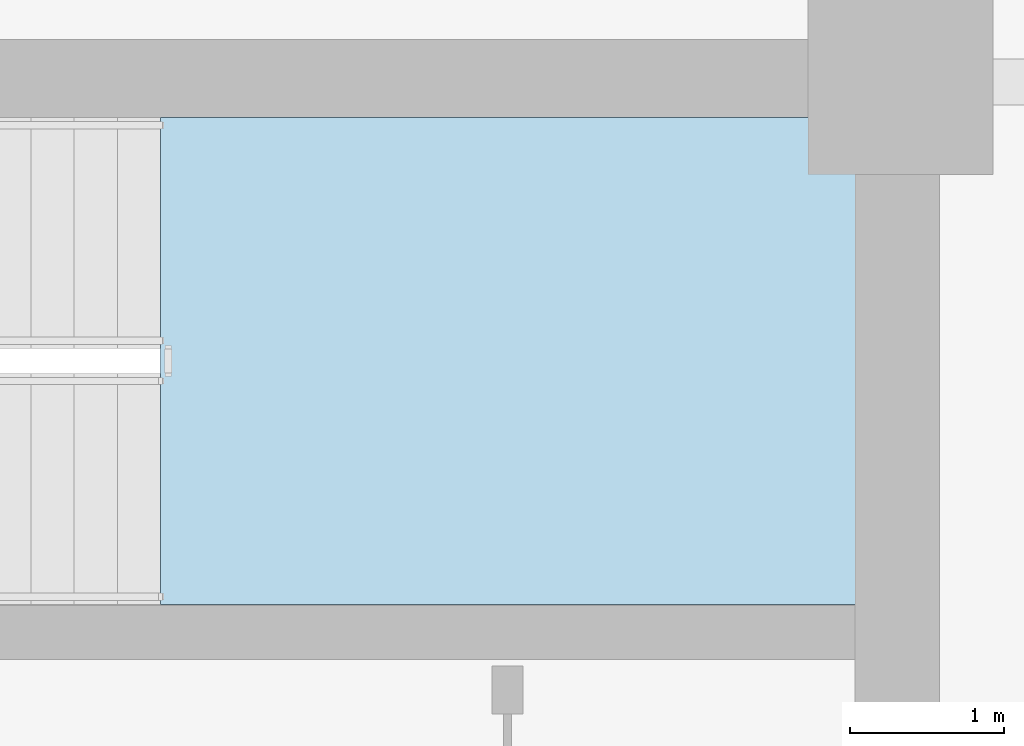
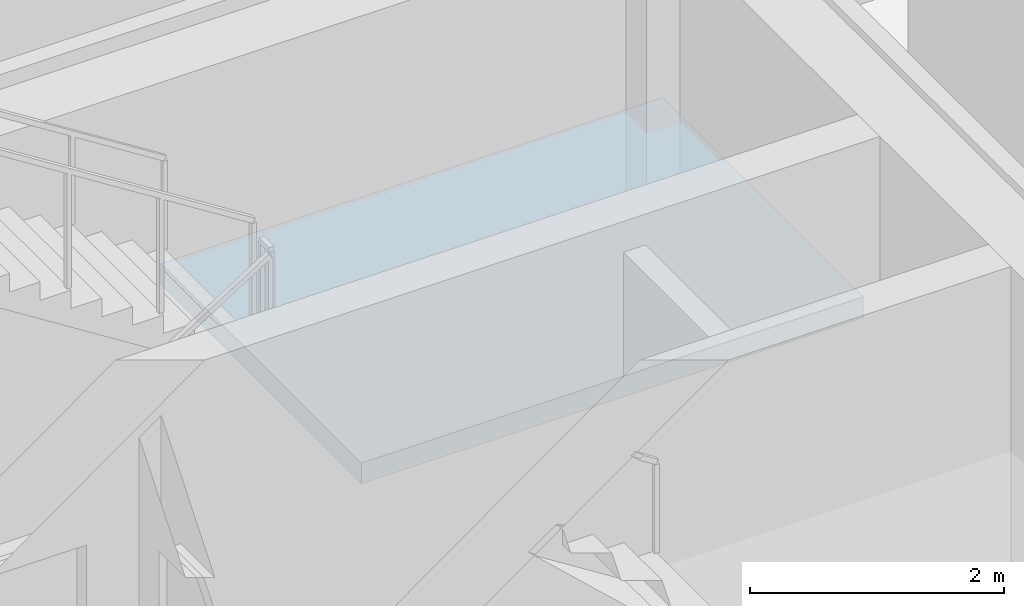
# One storey, part 4 of 12: 1 slab, 1 element without a shape of its own.
"""IFC4 building model written with IfcOpenShell, lengths in metres."""

from ifc_helpers import new_model, si_unit, direction, frame, origin, place, context, subcontext, project, spatial, polyline, outline, extrude, material, layer, layer_set, type_object, element, aggregate, save


model = new_model("IFC4")

# Units and contexts
model_context = context("Model", 3, precision=1e-05, world=origin(), true_north=direction((0.0, 1.0)))
body_context = subcontext(model_context, "Body", "Model", "MODEL_VIEW")
ifc_project = project(units=[si_unit("LENGTHUNIT", "METRE"), si_unit("AREAUNIT", "SQUARE_METRE"), si_unit("VOLUMEUNIT", "CUBIC_METRE"), si_unit("PLANEANGLEUNIT", "RADIAN"), si_unit("MASSUNIT", "GRAM", prefix="KILO")], contexts=[model_context])

# Site, building, storey
site_placement = place(None, origin())
site = spatial("IfcSite", under=ifc_project, at=site_placement, CompositionType="ELEMENT")
building_placement = place(site_placement, origin())
building = spatial("IfcBuilding", under=site, at=building_placement, Name="Zarnavel Station Tower", CompositionType="ELEMENT")
storey_placement = place(building_placement, frame((0.0, 0.0, 173.199951171875)))
storey = spatial("IfcBuildingStorey", under=building, at=storey_placement, Name="L47", CompositionType="ELEMENT", Elevation=173.199951171875)

# Stair, slab
ifc_material_1 = material(Name="Concrete C45/55", Category="concrete")
stair_type = type_object("IfcStairType", Name="ST_CORE_150", PredefinedType="HALF_TURN_STAIR", material=ifc_material_1)
stair_placement = place(storey_placement, origin())
stair = element("IfcStair", 1, at=stair_placement, inside=storey, type_object=stair_type, Name="L47 Core Exit Stair ST2", PredefinedType="HALF_TURN_STAIR")
ifc_material_2 = material(Name="Concrete C45/55", Category="concrete")
ifc_layer = layer(ifc_material_2, 0.199951171875)
ifc_layer_set = layer_set([ifc_layer], Name="SL_STAIR_LAND_200")
slab_type = type_object("IfcSlabType", Name="SL_STAIR_LAND_200", PredefinedType="LANDING", material=ifc_layer_set)
slab_placement = place(storey_placement, frame((0.0, 0.0, 1.574951171875)))
slab = element("IfcSlab", 2, at=slab_placement, type_object=slab_type, Name="ST2 landing 1", PredefinedType="LANDING", context=body_context, shape_type="SweptSolid", body=[
    extrude(outline(polyline([(40.60009765625, 33.659912109375), (45.159912109375, 33.659912109375), (45.159912109375, 36.820068359375), (40.60009765625, 36.820068359375), (40.60009765625, 33.659912109375)])), origin(), (0.0, 0.0, 1.0), 0.2001953125),
])
aggregate(stair, [slab])

save(model, "model.ifc")
